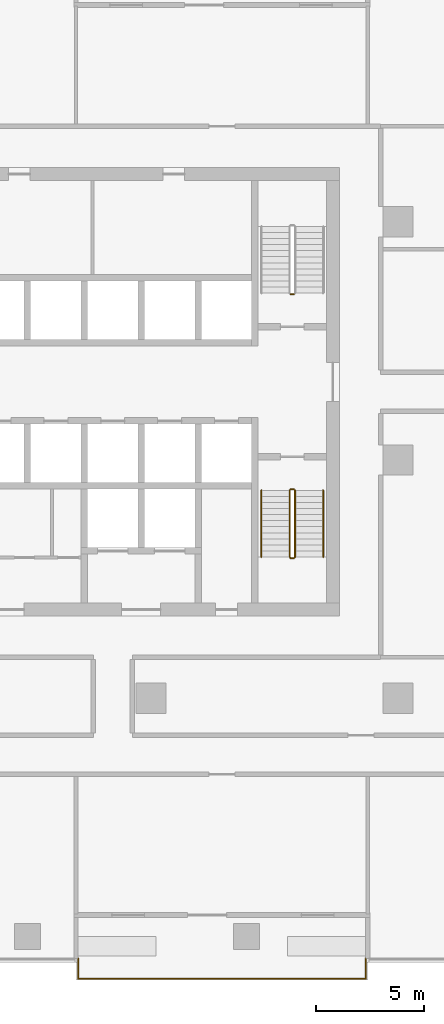
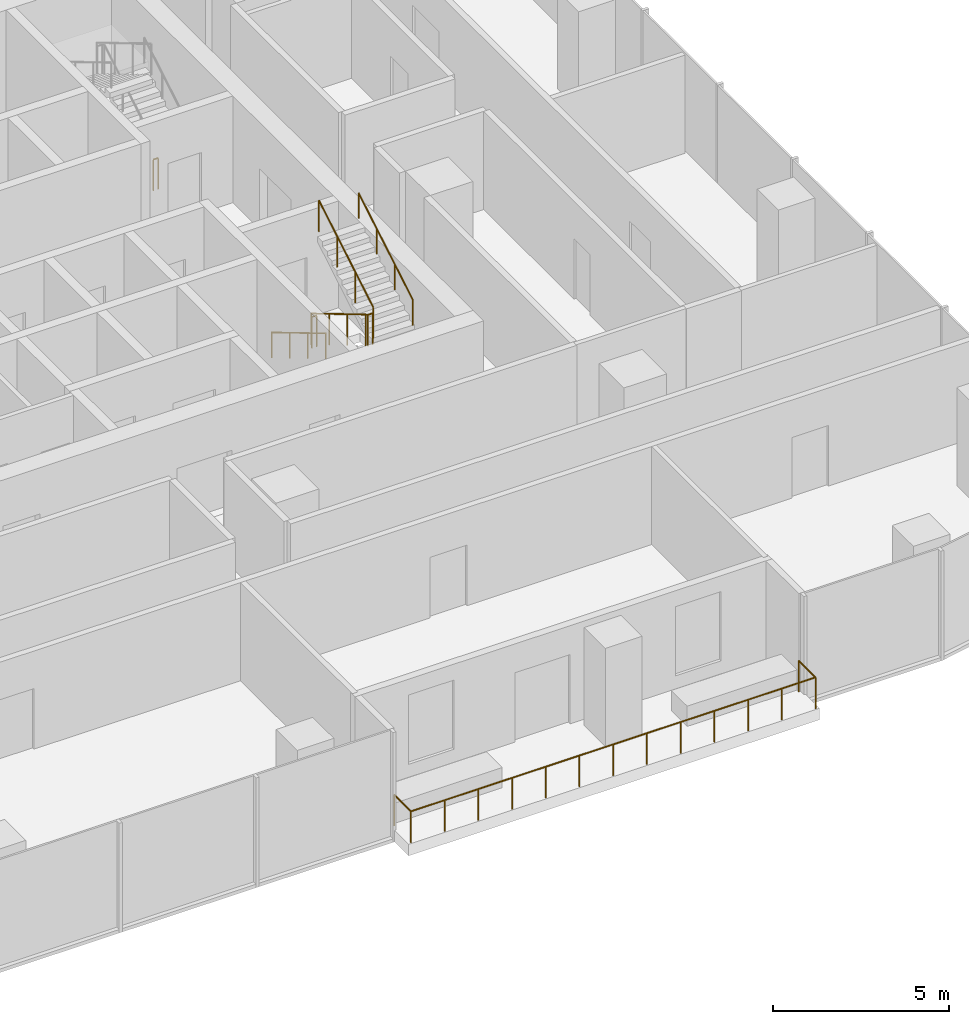
# One storey, part 13 of 14: 7 railings.
"""IFC4 building model written with IfcOpenShell, lengths in metres."""

from ifc_helpers import new_model, si_unit, direction, frame, origin, origin_2d, place, context, subcontext, project, spatial, circle, extrude, material, type_object, element, save


model = new_model("IFC4")

# Units and contexts
model_context = context("Model", 3, precision=1e-05, world=origin(), true_north=direction((0.0, 1.0)))
body_context = subcontext(model_context, "Body", "Model", "MODEL_VIEW")
ifc_project = project(units=[si_unit("LENGTHUNIT", "METRE"), si_unit("AREAUNIT", "SQUARE_METRE"), si_unit("VOLUMEUNIT", "CUBIC_METRE"), si_unit("PLANEANGLEUNIT", "RADIAN"), si_unit("MASSUNIT", "GRAM", prefix="KILO")], contexts=[model_context])

# Site, building, storey
site_placement = place(None, origin())
site = spatial("IfcSite", under=ifc_project, at=site_placement, CompositionType="ELEMENT")
building_placement = place(site_placement, origin())
building = spatial("IfcBuilding", under=site, at=building_placement, Name="Mopane Tessera Tower", CompositionType="ELEMENT")
storey_placement = place(building_placement, frame((0.0, 0.0, 201.0)))
storey = spatial("IfcBuildingStorey", under=building, at=storey_placement, Name="L42", CompositionType="ELEMENT", Elevation=201.0)

# Railings
ifc_material_1 = material(Name="Powder-coated steel balustrade", Category="steel")
railing_type_1 = type_object("IfcRailingType", Name="Escape stair guard 1100 mm", PredefinedType="GUARDRAIL", material=ifc_material_1)
railing_1_placement = place(storey_placement, frame((12.10009765625, -1.39990234375, 0.166748046875)))
element("IfcRailing", 1, at=railing_1_placement, inside=storey, type_object=railing_type_1, Name="L42 ST3 stair guard 1", PredefinedType="GUARDRAIL", context=body_context, shape_type="SweptSolid", body=[
    extrude(circle(Radius=0.02392578125, at=origin_2d()), frame((0.0, 0.0, 1.076171875), z_axis=(0.0, -0.859308565015, 0.511457515432), x_axis=(1.0, 0.0, 0.0)), (0.0, 0.0, 1.0), 3.58447265625),
    extrude(circle(Radius=0.02392578125, at=origin_2d()), frame((0.0, -3.080078125, 2.9091796875), z_axis=(0.705375805398, -0.708833529934, 0.0), x_axis=(0.708833529934, 0.705375805398, 0.0)), (0.0, 0.0, 1.0), 0.070556640625),
    extrude(circle(Radius=0.02392578125, at=origin_2d()), frame((0.0498046875, -3.130126953125, 2.9091796875), z_axis=(1.0, 0.0, 0.0), x_axis=(0.0, 1.0, 0.0)), (0.0, 0.0, 1.0), 0.150146484375),
    extrude(circle(Radius=0.02099609375, at=origin_2d()), origin(), (0.0, 0.0, 1.0), 1.052001953125),
    extrude(circle(Radius=0.02099609375, at=origin_2d()), frame((0.0, -1.026611328125, 0.611083984375)), (0.0, 0.0, 1.0), 1.052001953125),
    extrude(circle(Radius=0.02099609375, at=origin_2d()), frame((0.0, -2.053466796875, 1.22216796875)), (0.0, 0.0, 1.0), 1.052001953125),
    extrude(circle(Radius=0.02099609375, at=origin_2d()), frame((0.0, -3.080078125, 1.833251953125)), (0.0, 0.0, 1.0), 1.052001953125),
    extrude(circle(Radius=0.02099609375, at=origin_2d()), frame((0.0498046875, -3.130126953125, 1.833251953125)), (0.0, 0.0, 1.0), 1.052001953125),
    extrude(circle(Radius=0.02099609375, at=origin_2d()), frame((0.199951171875, -3.130126953125, 1.833251953125)), (0.0, 0.0, 1.0), 1.052001953125),
])
railing_2_placement = place(storey_placement, frame((12.35009765625, -4.47998046875, 2.166748046875)))
element("IfcRailing", 2, at=railing_2_placement, inside=storey, type_object=railing_type_1, Name="L42 ST3 stair guard 2", PredefinedType="GUARDRAIL", context=body_context, shape_type="SweptSolid", body=[
    extrude(circle(Radius=0.02392578125, at=origin_2d()), frame((0.0, 0.0, 1.076171875), z_axis=(0.0, 0.859308565015, 0.511457515432), x_axis=(-1.0, 0.0, 0.0)), (0.0, 0.0, 1.0), 3.58447265625),
    extrude(circle(Radius=0.02099609375, at=origin_2d()), origin(), (0.0, 0.0, 1.0), 1.052001953125),
    extrude(circle(Radius=0.02099609375, at=origin_2d()), frame((0.0, 1.026611328125, 0.611083984375)), (0.0, 0.0, 1.0), 1.052001953125),
    extrude(circle(Radius=0.02099609375, at=origin_2d()), frame((0.0, 2.053466796875, 1.22216796875)), (0.0, 0.0, 1.0), 1.052001953125),
    extrude(circle(Radius=0.02099609375, at=origin_2d()), frame((0.0, 3.080078125, 1.833251953125)), (0.0, 0.0, 1.0), 1.052001953125),
])
railing_3_placement = place(storey_placement, frame((12.14990234375, -1.35009765625, 0.0)))
element("IfcRailing", 3, at=railing_3_placement, inside=storey, type_object=railing_type_1, Name="L42 ST3 stair guard 3", PredefinedType="GUARDRAIL", context=body_context, shape_type="SweptSolid", body=[
    extrude(circle(Radius=0.02392578125, at=origin_2d()), frame((0.0, 0.0, 1.076171875), z_axis=(1.0, 0.0, 0.0), x_axis=(0.0, 1.0, 0.0)), (0.0, 0.0, 1.0), 0.150146484375),
    extrude(circle(Radius=0.02099609375, at=origin_2d()), origin(), (0.0, 0.0, 1.0), 1.052001953125),
    extrude(circle(Radius=0.02099609375, at=origin_2d()), frame((0.150146484375, 0.0, 0.0)), (0.0, 0.0, 1.0), 1.052001953125),
])
railing_4_placement = place(storey_placement, frame((12.300048828125, 7.64990234375, 0.0)))
element("IfcRailing", 4, at=railing_4_placement, inside=storey, type_object=railing_type_1, Name="L42 ST4 stair guard 3", PredefinedType="GUARDRAIL", context=body_context, shape_type="SweptSolid", body=[
    extrude(circle(Radius=0.02392578125, at=origin_2d()), frame((0.0, 0.0, 1.076171875), z_axis=(-1.0, 0.0, 0.0), x_axis=(0.0, -1.0, 0.0)), (0.0, 0.0, 1.0), 0.150146484375),
    extrude(circle(Radius=0.02099609375, at=origin_2d()), origin(), (0.0, 0.0, 1.0), 1.052001953125),
    extrude(circle(Radius=0.02099609375, at=origin_2d()), frame((-0.150146484375, 0.0, 0.0)), (0.0, 0.0, 1.0), 1.052001953125),
])
ifc_material_2 = material(Name="Powder-coated steel balustrade", Category="steel")
railing_type_2 = type_object("IfcRailingType", Name="Escape stair handrail 900 mm", PredefinedType="HANDRAIL", material=ifc_material_2)
railing_5_placement = place(storey_placement, frame((10.800048828125, -1.39990234375, 0.166748046875)))
element("IfcRailing", 5, at=railing_5_placement, inside=storey, type_object=railing_type_2, Name="L42 ST3 stair handrail 1", PredefinedType="HANDRAIL", context=body_context, shape_type="SweptSolid", body=[
    extrude(circle(Radius=0.02392578125, at=origin_2d()), frame((0.0, 0.0, 0.8759765625), z_axis=(0.0, -0.859308565015, 0.511457515432), x_axis=(1.0, 0.0, 0.0)), (0.0, 0.0, 1.0), 3.58447265625),
    extrude(circle(Radius=0.02099609375, at=origin_2d()), origin(), (0.0, 0.0, 1.0), 0.851806640625),
    extrude(circle(Radius=0.02099609375, at=origin_2d()), frame((0.0, -1.026611328125, 0.611083984375)), (0.0, 0.0, 1.0), 0.851806640625),
    extrude(circle(Radius=0.02099609375, at=origin_2d()), frame((0.0, -2.053466796875, 1.22216796875)), (0.0, 0.0, 1.0), 0.851806640625),
    extrude(circle(Radius=0.02099609375, at=origin_2d()), frame((0.0, -3.080078125, 1.833251953125)), (0.0, 0.0, 1.0), 0.851806640625),
])
railing_6_placement = place(storey_placement, frame((13.64990234375, -4.47998046875, 2.166748046875)))
element("IfcRailing", 6, at=railing_6_placement, inside=storey, type_object=railing_type_2, Name="L42 ST3 stair handrail 2", PredefinedType="HANDRAIL", context=body_context, shape_type="SweptSolid", body=[
    extrude(circle(Radius=0.02392578125, at=origin_2d()), frame((0.0, 0.0, 0.8759765625), z_axis=(0.0, 0.859308565015, 0.511457515432), x_axis=(-1.0, 0.0, 0.0)), (0.0, 0.0, 1.0), 3.58447265625),
    extrude(circle(Radius=0.02099609375, at=origin_2d()), origin(), (0.0, 0.0, 1.0), 0.851806640625),
    extrude(circle(Radius=0.02099609375, at=origin_2d()), frame((0.0, 1.026611328125, 0.611083984375)), (0.0, 0.0, 1.0), 0.851806640625),
    extrude(circle(Radius=0.02099609375, at=origin_2d()), frame((0.0, 2.053466796875, 1.22216796875)), (0.0, 0.0, 1.0), 0.851806640625),
    extrude(circle(Radius=0.02099609375, at=origin_2d()), frame((0.0, 3.080078125, 1.833251953125)), (0.0, 0.0, 1.0), 0.851806640625),
])
ifc_material_3 = material(Name="Stainless steel S316", Category="steel")
railing_type_3 = type_object("IfcRailingType", Name="Terrace guard 1100", PredefinedType="GUARDRAIL", material=ifc_material_3)
railing_7_placement = place(storey_placement, frame((2.344482421875, -23.0, 0.0)))
element("IfcRailing", 7, at=railing_7_placement, inside=storey, type_object=railing_type_3, Name="e:nw:L42:N2:guard", PredefinedType="GUARDRAIL", context=body_context, shape_type="SweptSolid", body=[
    extrude(circle(Radius=0.02392578125, at=origin_2d()), frame((0.0, 0.0, 1.076171875), z_axis=(0.0, -1.0, 0.0), x_axis=(1.0, 0.0, 0.0)), (0.0, 0.0, 1.0), 0.949951171875),
    extrude(circle(Radius=0.02392578125, at=origin_2d()), frame((0.0, -0.949951171875, 1.076171875), z_axis=(1.0, 0.0, 0.0), x_axis=(0.0, 1.0, 0.0)), (0.0, 0.0, 1.0), 13.2666015625),
    extrude(circle(Radius=0.02392578125, at=origin_2d()), frame((13.2666015625, -0.949951171875, 1.076171875), z_axis=(0.0, 1.0, 0.0), x_axis=(-1.0, 0.0, 0.0)), (0.0, 0.0, 1.0), 0.949951171875),
    extrude(circle(Radius=0.02099609375, at=origin_2d()), origin(), (0.0, 0.0, 1.0), 1.052001953125),
    extrude(circle(Radius=0.02099609375, at=origin_2d()), frame((0.0, -0.949951171875, 0.0)), (0.0, 0.0, 1.0), 1.052001953125),
    extrude(circle(Radius=0.02099609375, at=origin_2d()), frame((1.10546875, -0.949951171875, 0.0)), (0.0, 0.0, 1.0), 1.052001953125),
    extrude(circle(Radius=0.02099609375, at=origin_2d()), frame((2.211181640625, -0.949951171875, 0.0)), (0.0, 0.0, 1.0), 1.052001953125),
    extrude(circle(Radius=0.02099609375, at=origin_2d()), frame((3.316650390625, -0.949951171875, 0.0)), (0.0, 0.0, 1.0), 1.052001953125),
    extrude(circle(Radius=0.02099609375, at=origin_2d()), frame((4.422119140625, -0.949951171875, 0.0)), (0.0, 0.0, 1.0), 1.052001953125),
    extrude(circle(Radius=0.02099609375, at=origin_2d()), frame((5.52783203125, -0.949951171875, 0.0)), (0.0, 0.0, 1.0), 1.052001953125),
    extrude(circle(Radius=0.02099609375, at=origin_2d()), frame((6.63330078125, -0.949951171875, 0.0)), (0.0, 0.0, 1.0), 1.052001953125),
    extrude(circle(Radius=0.02099609375, at=origin_2d()), frame((7.73876953125, -0.949951171875, 0.0)), (0.0, 0.0, 1.0), 1.052001953125),
    extrude(circle(Radius=0.02099609375, at=origin_2d()), frame((8.844482421875, -0.949951171875, 0.0)), (0.0, 0.0, 1.0), 1.052001953125),
    extrude(circle(Radius=0.02099609375, at=origin_2d()), frame((9.949951171875, -0.949951171875, 0.0)), (0.0, 0.0, 1.0), 1.052001953125),
    extrude(circle(Radius=0.02099609375, at=origin_2d()), frame((11.055419921875, -0.949951171875, 0.0)), (0.0, 0.0, 1.0), 1.052001953125),
    extrude(circle(Radius=0.02099609375, at=origin_2d()), frame((12.1611328125, -0.949951171875, 0.0)), (0.0, 0.0, 1.0), 1.052001953125),
    extrude(circle(Radius=0.02099609375, at=origin_2d()), frame((13.2666015625, -0.949951171875, 0.0)), (0.0, 0.0, 1.0), 1.052001953125),
    extrude(circle(Radius=0.02099609375, at=origin_2d()), frame((13.2666015625, 0.0, 0.0)), (0.0, 0.0, 1.0), 1.052001953125),
])

save(model, "model.ifc")
